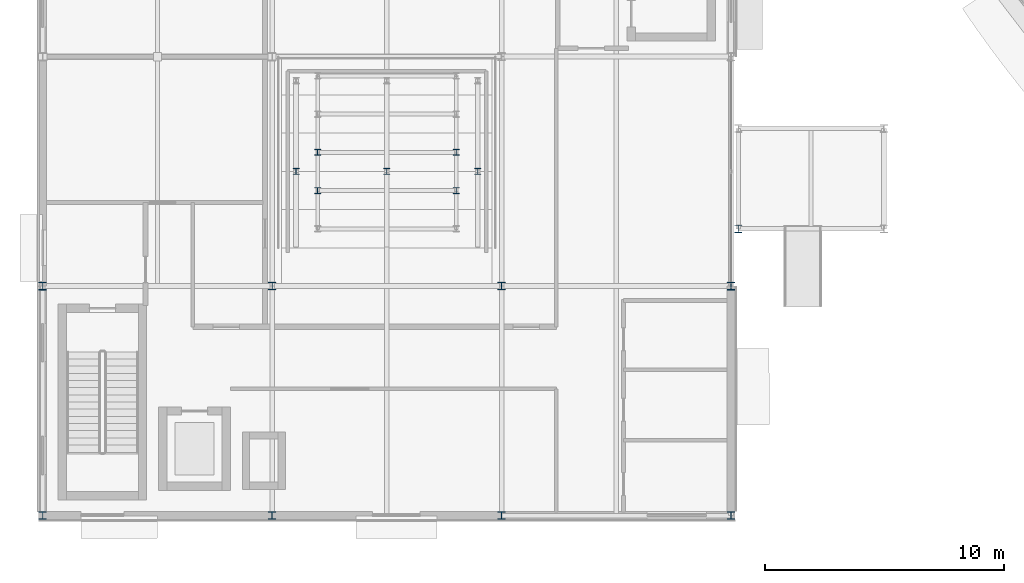
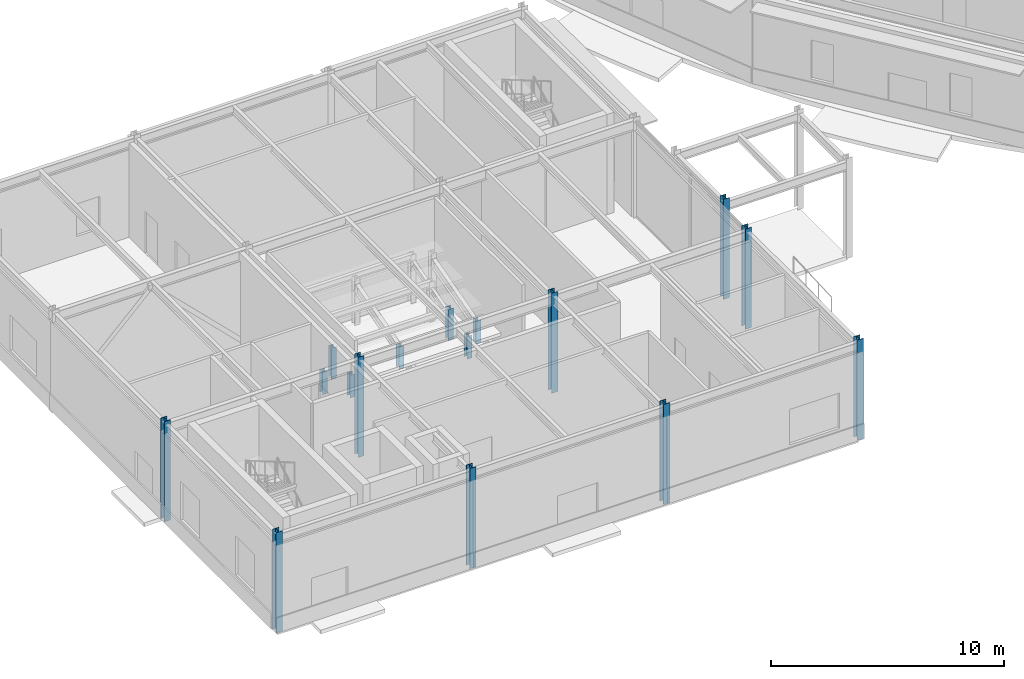
# One storey, part 1 of 168: 16 columns.
"""IFC4 building model written with IfcOpenShell, lengths in metres."""

from ifc_helpers import new_model, si_unit, direction, frame, origin, origin_2d, place, context, subcontext, project, spatial, i_section, extrude, material, material_profile, profile_set, type_object, element, save


model = new_model("IFC4")

# Units and contexts
model_context = context("Model", 3, precision=1e-05, world=origin(), true_north=direction((0.0, 1.0)))
body_context = subcontext(model_context, "Body", "Model", "MODEL_VIEW")
ifc_project = project(units=[si_unit("LENGTHUNIT", "METRE"), si_unit("AREAUNIT", "SQUARE_METRE"), si_unit("VOLUMEUNIT", "CUBIC_METRE"), si_unit("PLANEANGLEUNIT", "RADIAN"), si_unit("MASSUNIT", "GRAM", prefix="KILO")], contexts=[model_context])

# Site, building, storey
site_placement = place(None, origin())
site = spatial("IfcSite", under=ifc_project, at=site_placement, CompositionType="ELEMENT")
building_placement = place(site_placement, origin())
building = spatial("IfcBuilding", under=site, at=building_placement, Name="Almandine Court Research Institute", CompositionType="ELEMENT")
storey_placement = place(building_placement, origin())
storey = spatial("IfcBuildingStorey", under=building, at=storey_placement, Name="L00", CompositionType="ELEMENT", Elevation=0.0)

# Columns
ifc_material = material(Name="Steel ASTM A992 Grade 50", Category="steel")
ifc_material_profile_1 = material_profile(ifc_material, i_section(OverallWidth=0.31005859375, OverallDepth=0.326904296875, WebThickness=0.01611328125, FlangeThickness=0.02490234375, at=origin_2d()), Name="W310x158")
ifc_profile_set_1 = profile_set([ifc_material_profile_1], Name="Steel ASTM A992 Grade 50")
column_type_1 = type_object("IfcColumnType", Name="Col-C-W06-E", PredefinedType="COLUMN", material=ifc_profile_set_1)
for number, where, z_axis, x_axis, name in (
    (1, (6.0, 6.0, 0.0), (0.0, 0.0, 1.0), (1.0, 0.0, 0.0), "L00 V1 Column V1-X1Y1"),
    (2, (6.0, 15.60009765625, 0.0), (0.0, 0.0, 1.0), (1.0, 0.0, 0.0), "L00 V1 Column V1-X1Y2"),
    (3, (15.60009765625, 6.0, 0.0), (0.0, 0.0, 1.0), (1.0, 0.0, 0.0), "L00 V1 Column V1-X2Y1"),
    (4, (25.199951171875, 6.0, 0.0), (0.0, 0.0, 1.0), (1.0, 0.0, 0.0), "L00 V1 Column V1-X3Y1"),
    (5, (34.800048828125, 6.0, 0.0), (0.0, 0.0, 1.0), (1.0, 0.0, 0.0), "L00 V1 Column V1-X4Y1"),
    (6, (34.800048828125, 15.60009765625, 0.0), (0.0, 0.0, 1.0), (1.0, 0.0, 0.0), "L00 V1 Column V1-X4Y2"),
):
    element("IfcColumn", number, at=place(storey_placement, frame(where, z_axis=z_axis, x_axis=x_axis)), inside=storey, type_object=column_type_1, Name=name, PredefinedType="COLUMN", context=body_context, shape_type="SweptSolid", body=[
        extrude(i_section(OverallWidth=0.31005859375, OverallDepth=0.326904296875, WebThickness=0.01611328125, FlangeThickness=0.02490234375, at=origin_2d()), origin(), (0.0, 0.0, 1.0), 5.25),
    ])
ifc_material_profile_2 = material_profile(ifc_material, i_section(OverallWidth=0.305908203125, OverallDepth=0.31103515625, WebThickness=0.010986328125, FlangeThickness=0.01708984375, at=origin_2d()), Name="W310x107")
ifc_profile_set_2 = profile_set([ifc_material_profile_2], Name="Steel ASTM A992 Grade 50")
column_type_2 = type_object("IfcColumnType", Name="Col-C-W08", PredefinedType="COLUMN", material=ifc_profile_set_2)
for number, where, z_axis, x_axis, name in (
    (7, (15.60009765625, 15.60009765625, 0.0), (0.0, 0.0, 1.0), (1.0, 0.0, 0.0), "L00 V1 Column V1-X2Y2"),
    (8, (25.199951171875, 15.60009765625, 0.0), (0.0, 0.0, 1.0), (1.0, 0.0, 0.0), "L00 V1 Column V1-X3Y2"),
):
    element("IfcColumn", number, at=place(storey_placement, frame(where, z_axis=z_axis, x_axis=x_axis)), inside=storey, type_object=column_type_2, Name=name, PredefinedType="COLUMN", context=body_context, shape_type="SweptSolid", body=[
        extrude(i_section(OverallWidth=0.305908203125, OverallDepth=0.31103515625, WebThickness=0.010986328125, FlangeThickness=0.01708984375, at=origin_2d()), origin(), (0.0, 0.0, 1.0), 5.25),
    ])
ifc_material_profile_3 = material_profile(ifc_material, i_section(OverallWidth=0.305908203125, OverallDepth=0.31103515625, WebThickness=0.010986328125, FlangeThickness=0.01708984375, at=origin_2d()), Name="W310x107")
ifc_profile_set_3 = profile_set([ifc_material_profile_3], Name="Steel ASTM A992 Grade 50")
column_type_3 = type_object("IfcColumnType", Name="Col-C-W08-E", PredefinedType="COLUMN", material=ifc_profile_set_3)
column_placement = place(storey_placement, frame((35.10009765625, 18.0, 0.0), z_axis=(0.0, 0.0, 1.0), x_axis=(1.0, 0.0, 0.0)))
element("IfcColumn", 9, at=column_placement, inside=storey, type_object=column_type_3, Name="L00 DAL-SW Column DAL-SW-X1Y1", PredefinedType="COLUMN", context=body_context, shape_type="SweptSolid", body=[
    extrude(i_section(OverallWidth=0.305908203125, OverallDepth=0.31103515625, WebThickness=0.010986328125, FlangeThickness=0.01708984375, at=origin_2d()), origin(), (0.0, 0.0, 1.0), 5.25),
])
ifc_material_profile_4 = material_profile(ifc_material, i_section(OverallWidth=0.25390625, OverallDepth=0.2529296875, WebThickness=0.009033203125, FlangeThickness=0.013916015625, at=origin_2d()), Name="W250x73")
ifc_profile_set_4 = profile_set([ifc_material_profile_4], Name="Steel ASTM A992 Grade 50")
column_type_4 = type_object("IfcColumnType", Name="Col-C-W10", PredefinedType="COLUMN", material=ifc_profile_set_4)
for number, where, z_axis, x_axis, name in (
    (10, (16.60009765625, 20.39990234375, 0.0), (0.0, 0.0, 1.0), (1.0, 0.0, 0.0), "L00 V1 Column V1RK1B"),
    (11, (20.39990234375, 20.39990234375, 0.0), (0.0, 0.0, 1.0), (1.0, 0.0, 0.0), "L00 V1 Column V1RK2B"),
    (12, (24.199951171875, 20.39990234375, 0.0), (0.0, 0.0, 1.0), (1.0, 0.0, 0.0), "L00 V1 Column V1RK3B"),
):
    element("IfcColumn", number, at=place(storey_placement, frame(where, z_axis=z_axis, x_axis=x_axis)), inside=storey, type_object=column_type_4, Name=name, PredefinedType="COLUMN", context=body_context, shape_type="SweptSolid", body=[
        extrude(i_section(OverallWidth=0.25390625, OverallDepth=0.2529296875, WebThickness=0.009033203125, FlangeThickness=0.013916015625, at=origin_2d()), origin(), (0.0, 0.0, 1.0), 1.179931640625),
    ])
for number, where, z_axis, x_axis, name in (
    (13, (17.5, 19.60009765625, 0.0), (0.0, 0.0, 1.0), (1.0, 0.0, 0.0), "L00 V1 Column V1TR3W"),
    (14, (23.300048828125, 19.60009765625, 0.0), (0.0, 0.0, 1.0), (1.0, 0.0, 0.0), "L00 V1 Column V1TR3E"),
):
    element("IfcColumn", number, at=place(storey_placement, frame(where, z_axis=z_axis, x_axis=x_axis)), inside=storey, type_object=column_type_4, Name=name, PredefinedType="COLUMN", context=body_context, shape_type="SweptSolid", body=[
        extrude(i_section(OverallWidth=0.25390625, OverallDepth=0.2529296875, WebThickness=0.009033203125, FlangeThickness=0.013916015625, at=origin_2d()), origin(), (0.0, 0.0, 1.0), 1.18994140625),
    ])
for number, where, z_axis, x_axis, name in (
    (15, (17.5, 21.199951171875, 0.0), (0.0, 0.0, 1.0), (1.0, 0.0, 0.0), "L00 V1 Column V1TR4W"),
    (16, (23.300048828125, 21.199951171875, 0.0), (0.0, 0.0, 1.0), (1.0, 0.0, 0.0), "L00 V1 Column V1TR4E"),
):
    element("IfcColumn", number, at=place(storey_placement, frame(where, z_axis=z_axis, x_axis=x_axis)), inside=storey, type_object=column_type_4, Name=name, PredefinedType="COLUMN", context=body_context, shape_type="SweptSolid", body=[
        extrude(i_section(OverallWidth=0.25390625, OverallDepth=0.2529296875, WebThickness=0.009033203125, FlangeThickness=0.013916015625, at=origin_2d()), origin(), (0.0, 0.0, 1.0), 1.639892578125),
    ])

save(model, "model.ifc")
